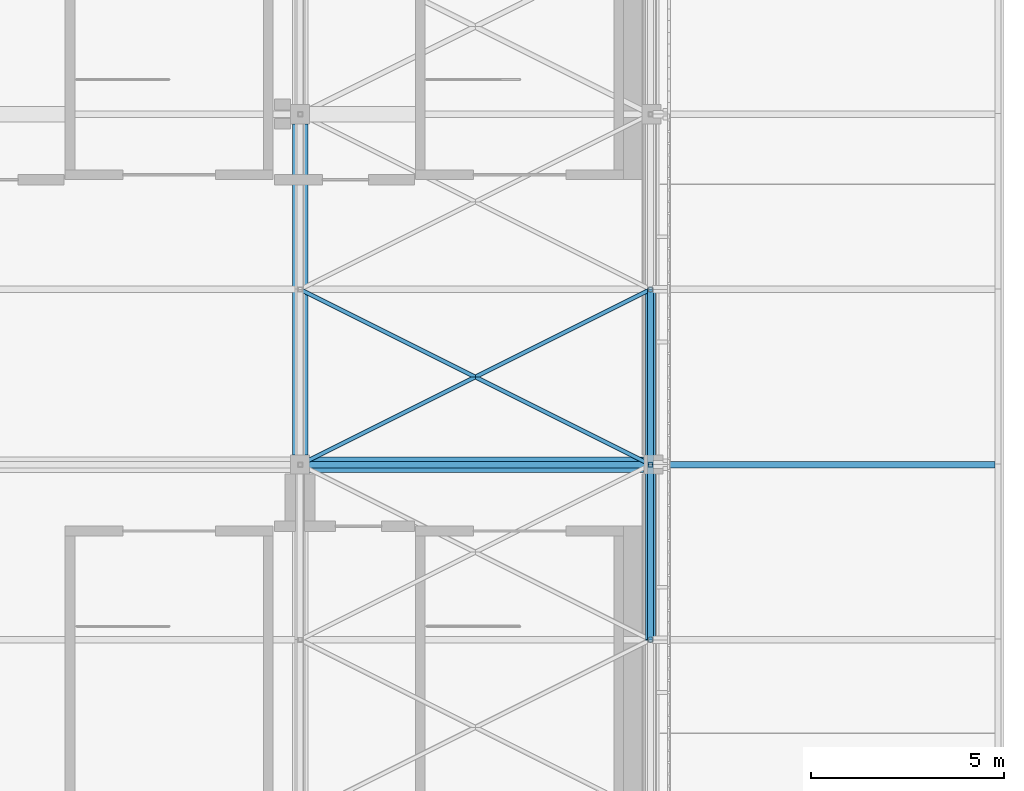
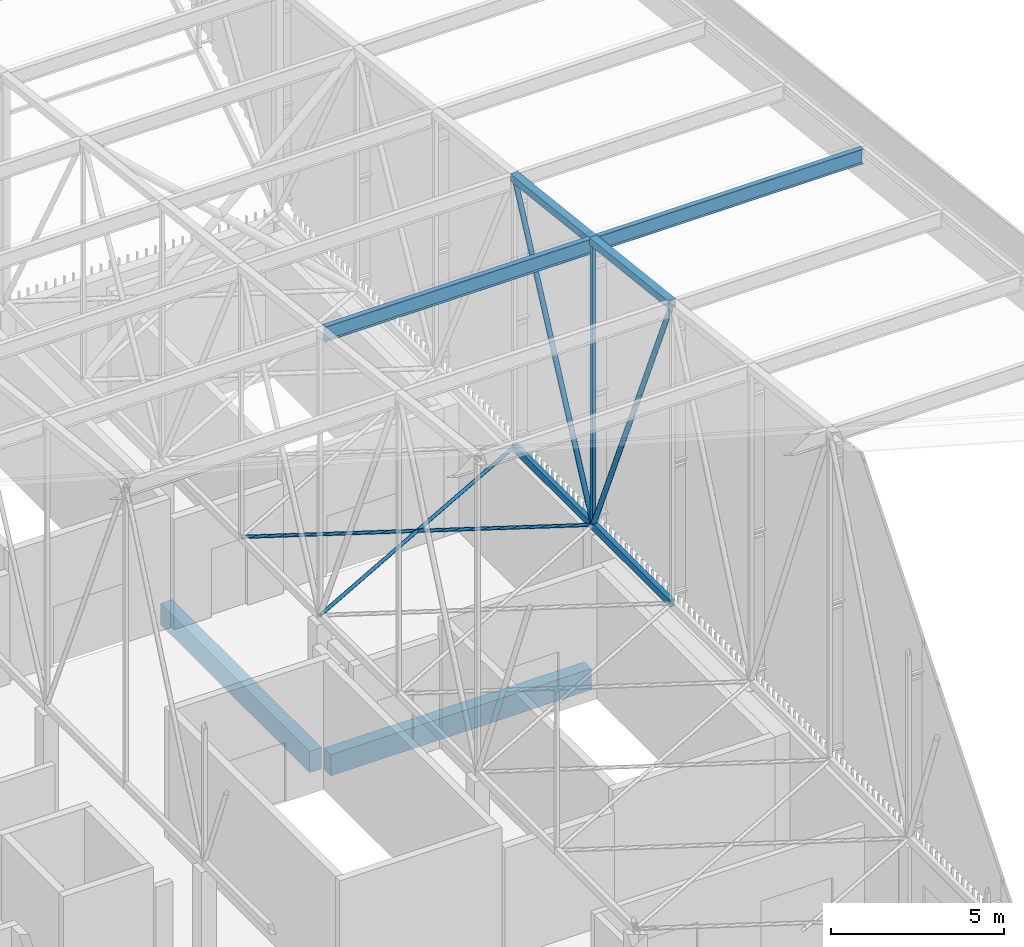
# One storey, part 397 of 500: 11 members, 2 beams.
"""IFC4 building model written with IfcOpenShell, lengths in metres."""

from ifc_helpers import new_model, si_unit, direction, frame, origin, origin_2d, place, context, subcontext, project, spatial, rectangle, hollow_rectangle, hollow_circle, i_section, extrude, material, material_profile, profile_set, type_object, element, save


model = new_model("IFC4")

# Units and contexts
model_context = context("Model", 3, precision=1e-05, world=origin(), true_north=direction((0.0, 1.0)))
body_context = subcontext(model_context, "Body", "Model", "MODEL_VIEW")
ifc_project = project(units=[si_unit("LENGTHUNIT", "METRE"), si_unit("AREAUNIT", "SQUARE_METRE"), si_unit("VOLUMEUNIT", "CUBIC_METRE"), si_unit("PLANEANGLEUNIT", "RADIAN"), si_unit("MASSUNIT", "GRAM", prefix="KILO")], contexts=[model_context])

# Site, building, storey
site_placement = place(None, origin())
site = spatial("IfcSite", under=ifc_project, at=site_placement, CompositionType="ELEMENT")
building_placement = place(site_placement, origin())
building = spatial("IfcBuilding", under=site, at=building_placement, Name="Shirokan Park Arena", CompositionType="ELEMENT")
storey_placement = place(building_placement, frame((0.0, 0.0, 29.1201171875)))
storey = spatial("IfcBuildingStorey", under=building, at=storey_placement, Name="L06", CompositionType="ELEMENT", Elevation=29.1201171875)

# Members
ifc_material_1 = material(Name="Steel ASTM A500 Grade C", Category="steel")
ifc_material_profile_1 = material_profile(ifc_material_1, hollow_rectangle(XDim=0.152099609375, YDim=0.25390625, WallThickness=0.009521484375, at=origin_2d()), Name="HSS254X152.4X9.5")
ifc_profile_set_1 = profile_set([ifc_material_profile_1], Name="Steel ASTM A500 Grade C")
member_type_1 = type_object("IfcMemberType", Name="Bottom chord HSS254X152.4X9.5", PredefinedType="CHORD", material=ifc_profile_set_1)
for number, where, z_axis, x_axis, name in (
    (1, (145.60009765625, 86.449951171875, 4.677001953125), (0.0, 1.0, 0.0), (-1.0, 0.0, 0.0), "Truss T17 bottom chord 22"),
    (2, (145.60009765625, 91.0, 4.677001953125), (0.0, 1.0, 0.0), (-1.0, 0.0, 0.0), "Truss T17 bottom chord 23"),
):
    element("IfcMember", number, at=place(storey_placement, frame(where, z_axis=z_axis, x_axis=x_axis)), inside=storey, type_object=member_type_1, Name=name, PredefinedType="CHORD", context=body_context, shape_type="SweptSolid", body=[
        extrude(hollow_rectangle(XDim=0.152099609375, YDim=0.25390625, WallThickness=0.009521484375, at=origin_2d()), origin(), (0.0, 0.0, 1.0), 4.550048828125),
    ])
ifc_material_profile_2 = material_profile(ifc_material_1, hollow_circle(Radius=0.056884765625, WallThickness=0.006103515625, at=origin_2d()), Name="HSS114.3X6")
ifc_profile_set_2 = profile_set([ifc_material_profile_2], Name="Steel ASTM A500 Grade C")
member_type_2 = type_object("IfcMemberType", Name="Plan bracing HSS114.3X6", PredefinedType="BRACE", material=ifc_profile_set_2)
for number, where, z_axis, x_axis, name in (
    (3, (136.5, 91.0, 4.677001953125), (0.894427191, 0.4472135955, 0.0), (-0.4472135955, 0.894427191, 0.0), "Plan bracing bay 16 panel 23 A"),
    (4, (145.60009765625, 91.0, 4.677001953125), (-0.894427191, 0.4472135955, 0.0), (-0.4472135955, -0.894427191, 0.0), "Plan bracing bay 16 panel 23 B"),
):
    element("IfcMember", number, at=place(storey_placement, frame(where, z_axis=z_axis, x_axis=x_axis)), inside=storey, type_object=member_type_2, Name=name, PredefinedType="BRACE", context=body_context, shape_type="SweptSolid", body=[
        extrude(hollow_circle(Radius=0.056884765625, WallThickness=0.006103515625, at=origin_2d()), origin(), (0.0, 0.0, 1.0), 10.17431640625),
    ])
ifc_material_2 = material(Name="Steel ASTM A992", Category="steel")
ifc_material_profile_3 = material_profile(ifc_material_2, i_section(OverallWidth=0.166015625, OverallDepth=0.528076171875, WebThickness=0.009765625, FlangeThickness=0.013671875, at=origin_2d()), Name="W530X74")
ifc_profile_set_3 = profile_set([ifc_material_profile_3], Name="Steel ASTM A992")
member_type_3 = type_object("IfcMemberType", Name="Purlin W530X74", PredefinedType="PURLIN", material=ifc_profile_set_3)
member_1_placement = place(storey_placement, frame((136.626953125, 91.0, 14.56591796875), z_axis=(1.0, 0.0, 0.0), x_axis=(0.0, 1.0, 0.0)))
element("IfcMember", 5, at=member_1_placement, inside=storey, type_object=member_type_3, Name="Purlin 23 bay 16", PredefinedType="PURLIN", context=body_context, shape_type="SweptSolid", body=[
    extrude(i_section(OverallWidth=0.166015625, OverallDepth=0.528076171875, WebThickness=0.009765625, FlangeThickness=0.013671875, at=origin_2d()), origin(), (0.0, 0.0, 1.0), 8.845947265625),
])
member_2_placement = place(storey_placement, frame((145.72705078125, 91.0, 14.56591796875), z_axis=(1.0, 0.0, 0.0), x_axis=(0.0, 1.0, 0.0)))
element("IfcMember", 6, at=member_2_placement, inside=storey, type_object=member_type_3, Name="Eave purlin east 23", PredefinedType="PURLIN", context=body_context, shape_type="SweptSolid", body=[
    extrude(i_section(OverallWidth=0.166015625, OverallDepth=0.528076171875, WebThickness=0.009765625, FlangeThickness=0.013671875, at=origin_2d()), origin(), (0.0, 0.0, 1.0), 8.824951171875),
])

# Beams
ifc_material_3 = material(Name="Concrete C35", Category="concrete")
ifc_material_profile_4 = material_profile(ifc_material_3, rectangle(XDim=0.39990234375, YDim=0.75, at=origin_2d()), Name="400x750")
ifc_profile_set_4 = profile_set([ifc_material_profile_4], Name="Concrete C35")
beam_type = type_object("IfcBeamType", Name="RC girder 400x750", PredefinedType="BEAM", material=ifc_profile_set_4)
beam_1_placement = place(storey_placement, frame((136.75, 91.0, -0.5751953125), z_axis=(1.0, 0.0, 0.0), x_axis=(0.0, 1.0, 0.0)))
element("IfcBeam", 7, at=beam_1_placement, inside=storey, type_object=beam_type, Name="Girder 16L-17L L06", PredefinedType="BEAM", context=body_context, shape_type="SweptSolid", body=[
    extrude(rectangle(XDim=0.39990234375, YDim=0.75, at=origin_2d()), origin(), (0.0, 0.0, 1.0), 8.6748046875),
])
beam_2_placement = place(storey_placement, frame((136.5, 91.25, -0.5751953125), z_axis=(0.0, 1.0, 0.0), x_axis=(-1.0, 0.0, 0.0)))
element("IfcBeam", 8, at=beam_2_placement, inside=storey, type_object=beam_type, Name="Girder 16L-16M L06", PredefinedType="BEAM", context=body_context, shape_type="SweptSolid", body=[
    extrude(rectangle(XDim=0.39990234375, YDim=0.75, at=origin_2d()), origin(), (0.0, 0.0, 1.0), 8.599853515625),
])

# Members
ifc_material_profile_5 = material_profile(ifc_material_1, hollow_rectangle(XDim=0.25390625, YDim=0.25390625, WallThickness=0.009521484375, at=origin_2d()), Name="HSS254X254X9.5")
ifc_profile_set_5 = profile_set([ifc_material_profile_5], Name="Steel ASTM A500 Grade C")
member_type_4 = type_object("IfcMemberType", Name="Top chord HSS254X254X9.5", PredefinedType="CHORD", material=ifc_profile_set_5)
for number, where, z_axis, x_axis, name in (
    (9, (145.60009765625, 86.449951171875, 15.222900390625), (0.0, 0.993532328996, -0.113549598152), (-1.0, 0.0, 0.0), "Truss T17 top chord 22"),
    (10, (145.60009765625, 91.0, 14.702880859375), (0.0, 0.993532328996, -0.113549598152), (-1.0, 0.0, 0.0), "Truss T17 top chord 23"),
):
    element("IfcMember", number, at=place(storey_placement, frame(where, z_axis=z_axis, x_axis=x_axis)), inside=storey, type_object=member_type_4, Name=name, PredefinedType="CHORD", context=body_context, shape_type="SweptSolid", body=[
        extrude(hollow_rectangle(XDim=0.25390625, YDim=0.25390625, WallThickness=0.009521484375, at=origin_2d()), origin(), (0.0, 0.0, 1.0), 4.57958984375),
    ])
ifc_material_profile_6 = material_profile(ifc_material_1, hollow_circle(Radius=0.083984375, WallThickness=0.009521484375, at=origin_2d()), Name="HSS168.3X9.5")
ifc_profile_set_6 = profile_set([ifc_material_profile_6], Name="Steel ASTM A500 Grade C")
member_type_5 = type_object("IfcMemberType", Name="Truss diagonal HSS168.3X9.5", PredefinedType="BRACE", material=ifc_profile_set_6)
member_3_placement = place(storey_placement, frame((145.60009765625, 86.449951171875, 15.222900390625), z_axis=(0.0, 0.396152605513, -0.918184683572), x_axis=(-1.0, 0.0, 0.0)))
element("IfcMember", 11, at=member_3_placement, inside=storey, type_object=member_type_5, Name="Truss T17 diagonal 22", PredefinedType="BRACE", context=body_context, shape_type="SweptSolid", body=[
    extrude(hollow_circle(Radius=0.083984375, WallThickness=0.009521484375, at=origin_2d()), origin(), (0.0, 0.0, 1.0), 11.485595703125),
])
member_4_placement = place(storey_placement, frame((145.60009765625, 91.0, 4.677001953125), z_axis=(0.0, 0.431746476626, 0.901994999942), x_axis=(-1.0, 0.0, 0.0)))
element("IfcMember", 12, at=member_4_placement, inside=storey, type_object=member_type_5, Name="Truss T17 diagonal 23", PredefinedType="BRACE", context=body_context, shape_type="SweptSolid", body=[
    extrude(hollow_circle(Radius=0.083984375, WallThickness=0.009521484375, at=origin_2d()), origin(), (0.0, 0.0, 1.0), 10.538818359375),
])
ifc_material_profile_7 = material_profile(ifc_material_1, hollow_rectangle(XDim=0.126953125, YDim=0.126953125, WallThickness=0.0126953125, at=origin_2d()), Name="HSS127X127X12.7")
ifc_profile_set_7 = profile_set([ifc_material_profile_7], Name="Steel ASTM A500 Grade C")
member_type_6 = type_object("IfcMemberType", Name="Truss post HSS127X127X12.7", PredefinedType="POST", material=ifc_profile_set_7)
member_5_placement = place(storey_placement, frame((145.60009765625, 91.0, 4.677001953125), z_axis=(0.0, 0.0, 1.0), x_axis=(1.0, 0.0, 0.0)))
element("IfcMember", 13, at=member_5_placement, inside=storey, type_object=member_type_6, Name="Truss T17 post 23", PredefinedType="POST", context=body_context, shape_type="SweptSolid", body=[
    extrude(hollow_rectangle(XDim=0.126953125, YDim=0.126953125, WallThickness=0.0126953125, at=origin_2d()), origin(), (0.0, 0.0, 1.0), 10.02587890625),
])

save(model, "model.ifc")
